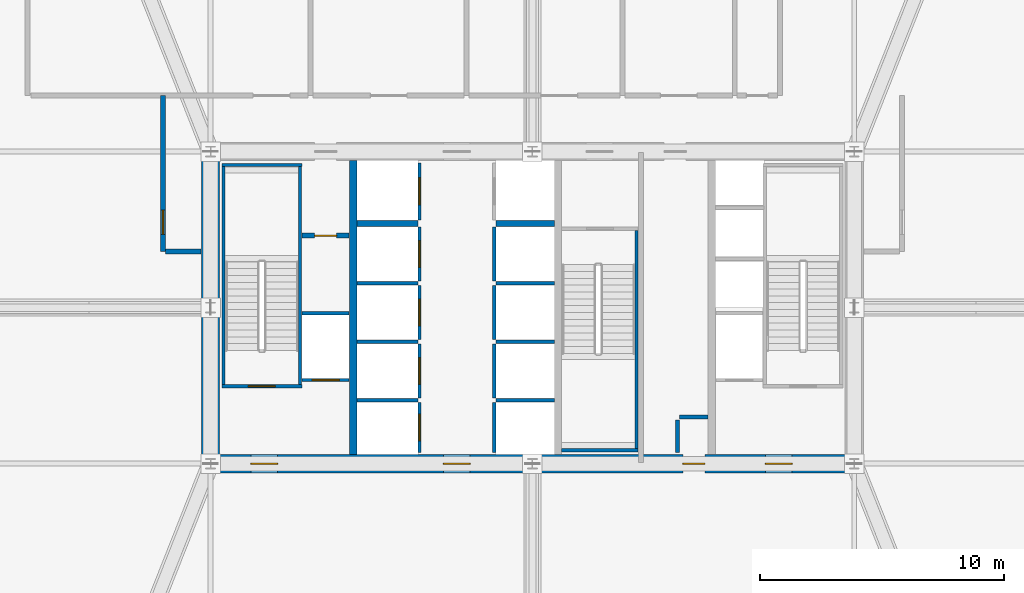
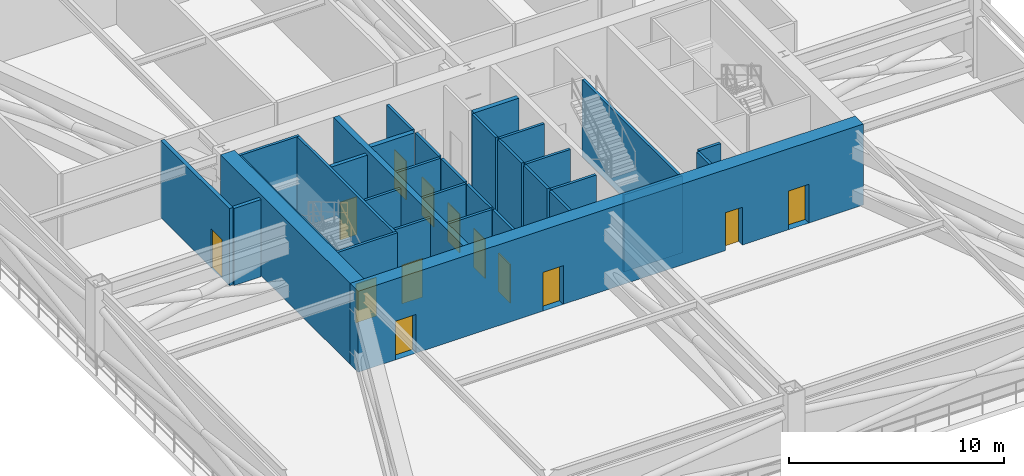
# One storey, part 4 of 10: 33 walls, 13 doors, 13 openings.
"""IFC4 building model written with IfcOpenShell, lengths in metres."""

from ifc_helpers import new_model, si_unit, direction, frame, frame_2d, origin, place, context, subcontext, project, spatial, rectangle, extrude, source, transform, mapped, material, layer, layer_set, type_object, element, fill, save


model = new_model("IFC4")

# Units and contexts
model_context = context("Model", 3, precision=1e-05, world=origin(), true_north=direction((0.0, 1.0)))
body_context = subcontext(model_context, "Body", "Model", "MODEL_VIEW")
ifc_project = project(units=[si_unit("LENGTHUNIT", "METRE"), si_unit("AREAUNIT", "SQUARE_METRE"), si_unit("VOLUMEUNIT", "CUBIC_METRE"), si_unit("PLANEANGLEUNIT", "RADIAN"), si_unit("MASSUNIT", "GRAM", prefix="KILO"), si_unit("THERMODYNAMICTEMPERATUREUNIT", "KELVIN"), si_unit("POWERUNIT", "WATT")], contexts=[model_context])

# Site, building, storey
site_placement = place(None, origin())
site = spatial("IfcSite", under=ifc_project, at=site_placement, CompositionType="ELEMENT")
building_placement = place(site_placement, origin())
building = spatial("IfcBuilding", under=site, at=building_placement, Name="Yuzanri Waterfront Tower", CompositionType="ELEMENT")
storey_placement = place(building_placement, frame((0.0, 0.0, 129.800048828125)))
storey = spatial("IfcBuildingStorey", under=building, at=storey_placement, Name="L34", CompositionType="ELEMENT", Elevation=129.800048828125)

# Wall, openings, doors
ifc_material_1 = material(Name="Concrete C55", Category="concrete")
ifc_layer_1 = layer(ifc_material_1, 0.75)
ifc_layer_set_1 = layer_set([ifc_layer_1], Name="Concrete C55")
wall_type_1 = type_object("IfcWallType", Name="Concrete C55 Low-Mid Zone Core Shear Wall 750", PredefinedType="SHEAR", material=ifc_layer_set_1)
wall_1_placement = place(storey_placement, frame((23.425048828125, 19.39990234375, 0.0), z_axis=(0.0, 0.0, 1.0), x_axis=(1.0, 0.0, 0.0)))
wall_1 = element("IfcWall", 1, at=wall_1_placement, inside=storey, type_object=wall_type_1, Name="L34 Core South Shear Wall", PredefinedType="SHEAR", context=body_context, shape_type="SweptSolid", body=[
    extrude(rectangle(XDim=27.14990234375, YDim=0.75, at=frame_2d((13.574951171875, 0.0))), origin(), (0.0, 0.0, 1.0), 4.599853515625),
])
opening_1_placement = place(wall_1_placement, frame((2.02490234375, 0.0, 0.0)))
opening_1 = element("IfcOpeningElement", 2, at=opening_1_placement, cuts=wall_1, Name="Opening FD-1100", PredefinedType="OPENING", context=body_context, shape_type="SweptSolid", body=[
    extrude(rectangle(XDim=1.10009765625, YDim=2.199951171875, at=frame_2d((0.550048828125, 1.10009765625))), frame((0.0, 0.389892578125, 0.0), z_axis=(0.0, -1.0, 0.0), x_axis=(1.0, 0.0, 0.0)), (0.0, 0.0, 1.0), 0.77978515625),
])
opening_2_placement = place(wall_1_placement, frame((9.925048828125, 0.0, 0.0)))
opening_2 = element("IfcOpeningElement", 3, at=opening_2_placement, cuts=wall_1, Name="Opening FD-1100", PredefinedType="OPENING", context=body_context, shape_type="SweptSolid", body=[
    extrude(rectangle(XDim=1.10009765625, YDim=2.199951171875, at=frame_2d((0.550048828125, 1.10009765625))), frame((0.0, 0.389892578125, 0.0), z_axis=(0.0, -1.0, 0.0), x_axis=(1.0, 0.0, 0.0)), (0.0, 0.0, 1.0), 0.77978515625),
])
opening_3_placement = place(wall_1_placement, frame((23.125, 0.0, 0.0)))
opening_3 = element("IfcOpeningElement", 4, at=opening_3_placement, cuts=wall_1, Name="Opening FD-1100", PredefinedType="OPENING", context=body_context, shape_type="SweptSolid", body=[
    extrude(rectangle(XDim=1.10009765625, YDim=2.199951171875, at=frame_2d((0.550048828125, 1.10009765625))), frame((0.0, 0.389892578125, 0.0), z_axis=(0.0, -1.0, 0.0), x_axis=(1.0, 0.0, 0.0)), (0.0, 0.0, 1.0), 0.77978515625),
])
opening_4_placement = place(wall_1_placement, frame((19.7451171875, 0.0, 0.0)))
opening_4 = element("IfcOpeningElement", 5, at=opening_4_placement, cuts=wall_1, Name="Opening FD-0900", PredefinedType="OPENING", context=body_context, shape_type="SweptSolid", body=[
    extrude(rectangle(XDim=0.89990234375, YDim=2.14990234375, at=frame_2d((0.449951171875, 1.074951171875))), frame((0.0, 0.389892578125, 0.0), z_axis=(0.0, -1.0, 0.0), x_axis=(1.0, 0.0, 0.0)), (0.0, 0.0, 1.0), 0.77978515625),
])
ifc_material_2 = material(Name="Painted Galvanized Fire Steel", Category="steel")
door_type_1 = type_object("IfcDoorType", Name="Smoke-Proof Stair and Lobby Fire Door 1100x2200", OperationType="NOTDEFINED", PredefinedType="DOOR", material=ifc_material_2)
shared_shape_1 = source(origin(), body_context, "Body", "SweptSolid", [
    extrude(rectangle(XDim=1.10009765625, YDim=2.199951171875, at=frame_2d((0.550048828125, 1.10009765625))), frame((0.0, 0.02490234375, 0.0), z_axis=(0.0, -1.0, 0.0), x_axis=(1.0, 0.0, 0.0)), (0.0, 0.0, 1.0), 0.050048828125),
])
door_1_placement = place(opening_1_placement, origin())
door_1 = element("IfcDoor", 6, at=door_1_placement, inside=storey, type_object=door_type_1, Name="L34 West Firefighting Lobby Door", OperationType="SINGLE_SWING_RIGHT", OverallHeight=2.199951171875, OverallWidth=1.10009765625, PredefinedType="DOOR", context=body_context, shape_type="MappedRepresentation", body=[
    mapped(shared_shape_1, transform((0.0, 0.0, 0.0), scale=1.0)),
])
fill(opening_1, door_1)
door_2_placement = place(opening_2_placement, origin())
door_2 = element("IfcDoor", 7, at=door_2_placement, inside=storey, type_object=door_type_1, Name="L34 Central Lift Lobby South Door", OperationType="SINGLE_SWING_LEFT", OverallHeight=2.199951171875, OverallWidth=1.10009765625, PredefinedType="DOOR", context=body_context, shape_type="MappedRepresentation", body=[
    mapped(shared_shape_1, transform((0.0, 0.0, 0.0), scale=1.0)),
])
fill(opening_2, door_2)
door_3_placement = place(opening_3_placement, origin())
door_3 = element("IfcDoor", 8, at=door_3_placement, inside=storey, type_object=door_type_1, Name="L34 East Firefighting Lobby Door", OperationType="SINGLE_SWING_RIGHT", OverallHeight=2.199951171875, OverallWidth=1.10009765625, PredefinedType="DOOR", context=body_context, shape_type="MappedRepresentation", body=[
    mapped(shared_shape_1, transform((0.0, 0.0, 0.0), scale=1.0)),
])
fill(opening_3, door_3)
ifc_material_3 = material(Name="Painted Galvanized Fire Steel", Category="steel")
door_type_2 = type_object("IfcDoorType", Name="Riser and Service Room Fire Door 900x2150", OperationType="NOTDEFINED", PredefinedType="DOOR", material=ifc_material_3)
shared_shape_2 = source(origin(), body_context, "Body", "SweptSolid", [
    extrude(rectangle(XDim=0.89990234375, YDim=2.14990234375, at=frame_2d((0.449951171875, 1.074951171875))), frame((0.0, 0.02490234375, 0.0), z_axis=(0.0, -1.0, 0.0), x_axis=(1.0, 0.0, 0.0)), (0.0, 0.0, 1.0), 0.050048828125),
])
door_4_placement = place(opening_4_placement, origin())
door_4 = element("IfcDoor", 9, at=door_4_placement, inside=storey, type_object=door_type_2, Name="L34 East Wet Riser Door", OperationType="SINGLE_SWING_LEFT", OverallHeight=2.14990234375, OverallWidth=0.89990234375, PredefinedType="DOOR", context=body_context, shape_type="MappedRepresentation", body=[
    mapped(shared_shape_2, transform((0.0, 0.0, 0.0), scale=1.0)),
])
fill(opening_4, door_4)

# Wall, opening, door
ifc_material_4 = material(Name="Concrete C40", Category="concrete")
ifc_layer_2 = layer(ifc_material_4, 0.139892578125)
ifc_layer_set_2 = layer_set([ifc_layer_2], Name="Concrete C40")
wall_type_2 = type_object("IfcWallType", Name="Core Stair Liner and Hoistway Shaft Wall 140", PredefinedType="SOLIDWALL", material=ifc_layer_set_2)
wall_2_placement = place(storey_placement, frame((27.56005859375, 22.830078125, 0.0), z_axis=(0.0, 0.0, 1.0), x_axis=(1.0, 0.0, 0.0)))
wall_2 = element("IfcWall", 10, at=wall_2_placement, inside=storey, type_object=wall_type_2, Name="L34 Lift FL-01 Front Shaft Wall", PredefinedType="SOLIDWALL", context=body_context, shape_type="SweptSolid", body=[
    extrude(rectangle(XDim=1.919921875, YDim=0.139892578125, at=frame_2d((0.9599609375, 0.0))), origin(), (0.0, 0.0, 1.0), 4.3798828125),
])
opening_5_placement = place(wall_2_placement, frame((0.409912109375, 0.0, 0.0)))
opening_5 = element("IfcOpeningElement", 11, at=opening_5_placement, cuts=wall_2, Name="Opening LD-FL-01", PredefinedType="OPENING", context=body_context, shape_type="SweptSolid", body=[
    extrude(rectangle(XDim=1.10009765625, YDim=2.199951171875, at=frame_2d((0.550048828125, 1.10009765625))), frame((0.0, 0.0849609375, 0.0), z_axis=(0.0, -1.0, 0.0), x_axis=(1.0, 0.0, 0.0)), (0.0, 0.0, 1.0), 0.169677734375),
])
ifc_material_5 = material(Name="Brushed Bronze and Stainless Steel Cab", Category="steel")
door_type_3 = type_object("IfcDoorType", Name="Center-Parting Bronze Lift Landing Sliding Door 1100x2200", OperationType="NOTDEFINED", PredefinedType="DOOR", material=ifc_material_5)
shared_shape_3 = source(origin(), body_context, "Body", "SweptSolid", [
    extrude(rectangle(XDim=1.10009765625, YDim=2.199951171875, at=frame_2d((0.550048828125, 1.10009765625))), frame((0.0, 0.02490234375, 0.0), z_axis=(0.0, -1.0, 0.0), x_axis=(1.0, 0.0, 0.0)), (0.0, 0.0, 1.0), 0.050048828125),
])
door_5_placement = place(opening_5_placement, origin())
door_5 = element("IfcDoor", 12, at=door_5_placement, inside=storey, type_object=door_type_3, Name="L34 FL-01 Lift Landing Sliding Door", OperationType="SLIDING_TO_LEFT", OverallHeight=2.199951171875, OverallWidth=1.10009765625, PredefinedType="DOOR", context=body_context, shape_type="MappedRepresentation", body=[
    mapped(shared_shape_3, transform((0.0, 0.0, 0.0), scale=1.0)),
])
fill(opening_5, door_5)

wall_3_placement = place(storey_placement, frame((32.3701171875, 19.860107421875, 0.0), z_axis=(0.0, 0.0, 1.0), x_axis=(0.0, 1.0, 0.0)))
wall_3 = element("IfcWall", 13, at=wall_3_placement, inside=storey, type_object=wall_type_2, Name="L34 Lift PL-01 Front Shaft Wall", PredefinedType="SOLIDWALL", context=body_context, shape_type="SweptSolid", body=[
    extrude(rectangle(XDim=2.039794921875, YDim=0.139892578125, at=frame_2d((1.02001953125, 0.0))), origin(), (0.0, 0.0, 1.0), 4.3798828125),
])
opening_6_placement = place(wall_3_placement, frame((0.469970703125, 0.0, 0.0)))
opening_6 = element("IfcOpeningElement", 14, at=opening_6_placement, cuts=wall_3, Name="Opening LD-PL-01", PredefinedType="OPENING", context=body_context, shape_type="SweptSolid", body=[
    extrude(rectangle(XDim=1.10009765625, YDim=2.199951171875, at=frame_2d((0.550048828125, 1.10009765625))), frame((0.0, 0.0849609375, 0.0), z_axis=(0.0, -1.0, 0.0), x_axis=(1.0, 0.0, 0.0)), (0.0, 0.0, 1.0), 0.169677734375),
])
door_6_placement = place(opening_6_placement, origin())
door_6 = element("IfcDoor", 15, at=door_6_placement, inside=storey, type_object=door_type_3, Name="L34 PL-01 Lift Landing Sliding Door", OperationType="SLIDING_TO_LEFT", OverallHeight=2.199951171875, OverallWidth=1.10009765625, PredefinedType="DOOR", context=body_context, shape_type="MappedRepresentation", body=[
    mapped(shared_shape_3, transform((0.0, 0.0, 0.0), scale=1.0)),
])
fill(opening_6, door_6)

wall_4_placement = place(storey_placement, frame((32.3701171875, 22.10009765625, 0.0), z_axis=(0.0, 0.0, 1.0), x_axis=(0.0, 1.0, 0.0)))
wall_4 = element("IfcWall", 16, at=wall_4_placement, inside=storey, type_object=wall_type_2, Name="L34 Lift PL-02 Front Shaft Wall", PredefinedType="SOLIDWALL", context=body_context, shape_type="SweptSolid", body=[
    extrude(rectangle(XDim=2.199951171875, YDim=0.139892578125, at=frame_2d((1.10009765625, 0.0))), origin(), (0.0, 0.0, 1.0), 4.3798828125),
])
opening_7_placement = place(wall_4_placement, frame((0.550048828125, 0.0, 0.0)))
opening_7 = element("IfcOpeningElement", 17, at=opening_7_placement, cuts=wall_4, Name="Opening LD-PL-02", PredefinedType="OPENING", context=body_context, shape_type="SweptSolid", body=[
    extrude(rectangle(XDim=1.10009765625, YDim=2.199951171875, at=frame_2d((0.550048828125, 1.10009765625))), frame((0.0, 0.0849609375, 0.0), z_axis=(0.0, -1.0, 0.0), x_axis=(1.0, 0.0, 0.0)), (0.0, 0.0, 1.0), 0.169677734375),
])
door_7_placement = place(opening_7_placement, origin())
door_7 = element("IfcDoor", 18, at=door_7_placement, inside=storey, type_object=door_type_3, Name="L34 PL-02 Lift Landing Sliding Door", OperationType="SLIDING_TO_RIGHT", OverallHeight=2.199951171875, OverallWidth=1.10009765625, PredefinedType="DOOR", context=body_context, shape_type="MappedRepresentation", body=[
    mapped(shared_shape_3, transform((0.0, 0.0, 0.0), scale=1.0)),
])
fill(opening_7, door_7)

wall_5_placement = place(storey_placement, frame((32.3701171875, 24.5, 0.0), z_axis=(0.0, 0.0, 1.0), x_axis=(0.0, 1.0, 0.0)))
wall_5 = element("IfcWall", 19, at=wall_5_placement, inside=storey, type_object=wall_type_2, Name="L34 Lift PL-03 Front Shaft Wall", PredefinedType="SOLIDWALL", context=body_context, shape_type="SweptSolid", body=[
    extrude(rectangle(XDim=2.199951171875, YDim=0.139892578125, at=frame_2d((1.10009765625, 0.0))), origin(), (0.0, 0.0, 1.0), 4.3798828125),
])
opening_8_placement = place(wall_5_placement, frame((0.550048828125, 0.0, 0.0)))
opening_8 = element("IfcOpeningElement", 20, at=opening_8_placement, cuts=wall_5, Name="Opening LD-PL-03", PredefinedType="OPENING", context=body_context, shape_type="SweptSolid", body=[
    extrude(rectangle(XDim=1.10009765625, YDim=2.199951171875, at=frame_2d((0.550048828125, 1.10009765625))), frame((0.0, 0.0849609375, 0.0), z_axis=(0.0, -1.0, 0.0), x_axis=(1.0, 0.0, 0.0)), (0.0, 0.0, 1.0), 0.169677734375),
])
door_8_placement = place(opening_8_placement, origin())
door_8 = element("IfcDoor", 21, at=door_8_placement, inside=storey, type_object=door_type_3, Name="L34 PL-03 Lift Landing Sliding Door", OperationType="SLIDING_TO_LEFT", OverallHeight=2.199951171875, OverallWidth=1.10009765625, PredefinedType="DOOR", context=body_context, shape_type="MappedRepresentation", body=[
    mapped(shared_shape_3, transform((0.0, 0.0, 0.0), scale=1.0)),
])
fill(opening_8, door_8)

wall_6_placement = place(storey_placement, frame((32.3701171875, 26.89990234375, 0.0), z_axis=(0.0, 0.0, 1.0), x_axis=(0.0, 1.0, 0.0)))
wall_6 = element("IfcWall", 22, at=wall_6_placement, inside=storey, type_object=wall_type_2, Name="L34 Lift PL-04 Front Shaft Wall", PredefinedType="SOLIDWALL", context=body_context, shape_type="SweptSolid", body=[
    extrude(rectangle(XDim=2.2001953125, YDim=0.139892578125, at=frame_2d((1.10009765625, 0.0))), origin(), (0.0, 0.0, 1.0), 4.3798828125),
])
opening_9_placement = place(wall_6_placement, frame((0.550048828125, 0.0, 0.0)))
opening_9 = element("IfcOpeningElement", 23, at=opening_9_placement, cuts=wall_6, Name="Opening LD-PL-04", PredefinedType="OPENING", context=body_context, shape_type="SweptSolid", body=[
    extrude(rectangle(XDim=1.10009765625, YDim=2.199951171875, at=frame_2d((0.550048828125, 1.10009765625))), frame((0.0, 0.0849609375, 0.0), z_axis=(0.0, -1.0, 0.0), x_axis=(1.0, 0.0, 0.0)), (0.0, 0.0, 1.0), 0.169677734375),
])
door_9_placement = place(opening_9_placement, origin())
door_9 = element("IfcDoor", 24, at=door_9_placement, inside=storey, type_object=door_type_3, Name="L34 PL-04 Lift Landing Sliding Door", OperationType="SLIDING_TO_RIGHT", OverallHeight=2.199951171875, OverallWidth=1.10009765625, PredefinedType="DOOR", context=body_context, shape_type="MappedRepresentation", body=[
    mapped(shared_shape_3, transform((0.0, 0.0, 0.0), scale=1.0)),
])
fill(opening_9, door_9)

wall_7_placement = place(storey_placement, frame((32.3701171875, 29.39990234375, 0.0), z_axis=(0.0, 0.0, 1.0), x_axis=(0.0, 1.0, 0.0)))
wall_7 = element("IfcWall", 25, at=wall_7_placement, inside=storey, type_object=wall_type_2, Name="L34 Lift SL-01 Front Shaft Wall", PredefinedType="SOLIDWALL", context=body_context, shape_type="SweptSolid", body=[
    extrude(rectangle(XDim=2.340087890625, YDim=0.139892578125, at=frame_2d((1.169921875, 0.0))), origin(), (0.0, 0.0, 1.0), 4.3798828125),
])
opening_10_placement = place(wall_7_placement, frame((0.6201171875, 0.0, 0.0)))
opening_10 = element("IfcOpeningElement", 26, at=opening_10_placement, cuts=wall_7, Name="Opening LD-SL-01", PredefinedType="OPENING", context=body_context, shape_type="SweptSolid", body=[
    extrude(rectangle(XDim=1.10009765625, YDim=2.199951171875, at=frame_2d((0.550048828125, 1.10009765625))), frame((0.0, 0.0849609375, 0.0), z_axis=(0.0, -1.0, 0.0), x_axis=(1.0, 0.0, 0.0)), (0.0, 0.0, 1.0), 0.169677734375),
])
door_10_placement = place(opening_10_placement, origin())
door_10 = element("IfcDoor", 27, at=door_10_placement, inside=storey, type_object=door_type_3, Name="L34 SL-01 Lift Landing Sliding Door", OperationType="SLIDING_TO_LEFT", OverallHeight=2.199951171875, OverallWidth=1.10009765625, PredefinedType="DOOR", context=body_context, shape_type="MappedRepresentation", body=[
    mapped(shared_shape_3, transform((0.0, 0.0, 0.0), scale=1.0)),
])
fill(opening_10, door_10)

wall_8_placement = place(storey_placement, frame((24.260009765625, 22.570068359375, 0.0), z_axis=(0.0, 0.0, 1.0), x_axis=(1.0, 0.0, 0.0)))
wall_8 = element("IfcWall", 28, at=wall_8_placement, inside=storey, type_object=wall_type_2, Name="L34 Shaft Wall STW-L34-ST-01-S", PredefinedType="SOLIDWALL", context=body_context, shape_type="SweptSolid", body=[
    extrude(rectangle(XDim=3.280029296875, YDim=0.139892578125, at=frame_2d((1.64013671875, 0.0))), origin(), (0.0, 0.0, 1.0), 4.3798828125),
])
opening_11_placement = place(wall_8_placement, frame((1.090087890625, 0.0, 0.0)))
opening_11 = element("IfcOpeningElement", 29, at=opening_11_placement, cuts=wall_8, Name="Opening FD-1100", PredefinedType="OPENING", context=body_context, shape_type="SweptSolid", body=[
    extrude(rectangle(XDim=1.10009765625, YDim=2.199951171875, at=frame_2d((0.550048828125, 1.10009765625))), frame((0.0, 0.0849609375, 0.0), z_axis=(0.0, -1.0, 0.0), x_axis=(1.0, 0.0, 0.0)), (0.0, 0.0, 1.0), 0.169677734375),
])
door_11_placement = place(opening_11_placement, origin())
door_11 = element("IfcDoor", 30, at=door_11_placement, inside=storey, type_object=door_type_1, Name="L34 Stair ST-01 Fire Door", OperationType="SINGLE_SWING_LEFT", OverallHeight=2.199951171875, OverallWidth=1.10009765625, PredefinedType="DOOR", context=body_context, shape_type="MappedRepresentation", body=[
    mapped(shared_shape_1, transform((0.0, 0.0, 0.0), scale=1.0)),
])
fill(opening_11, door_11)

ifc_material_6 = material(Name="Autoclaved Aerated Concrete Blockwork", Category="masonry")
ifc_layer_3 = layer(ifc_material_6, 0.199951171875)
ifc_layer_set_3 = layer_set([ifc_layer_3], Name="Autoclaved Aerated Concrete Blockwork")
wall_type_3 = type_object("IfcWallType", Name="Corridor and Unit Party Fire Wall 200", PredefinedType="PARTITIONING", material=ifc_layer_set_3)
wall_9_placement = place(storey_placement, frame((27.56005859375, 28.75, 0.0), z_axis=(0.0, 0.0, 1.0), x_axis=(1.0, 0.0, 0.0)))
wall_9 = element("IfcWall", 31, at=wall_9_placement, inside=storey, type_object=wall_type_3, Name="L34 Partition CRW-L34-ERTR", PredefinedType="PARTITIONING", context=body_context, shape_type="SweptSolid", body=[
    extrude(rectangle(XDim=1.919921875, YDim=0.199951171875, at=frame_2d((0.9599609375, 0.0))), origin(), (0.0, 0.0, 1.0), 4.3798828125),
])
opening_12_placement = place(wall_9_placement, frame((0.510009765625, 0.0, 0.0)))
opening_12 = element("IfcOpeningElement", 32, at=opening_12_placement, cuts=wall_9, Name="Opening FD-0900", PredefinedType="OPENING", context=body_context, shape_type="SweptSolid", body=[
    extrude(rectangle(XDim=0.89990234375, YDim=2.14990234375, at=frame_2d((0.449951171875, 1.074951171875))), frame((0.0, 0.11474609375, 0.0), z_axis=(0.0, -1.0, 0.0), x_axis=(1.0, 0.0, 0.0)), (0.0, 0.0, 1.0), 0.229736328125),
])
door_12_placement = place(opening_12_placement, origin())
door_12 = element("IfcDoor", 33, at=door_12_placement, inside=storey, type_object=door_type_2, Name="L34 Electrical Riser Door", OperationType="SINGLE_SWING_RIGHT", OverallHeight=2.14990234375, OverallWidth=0.89990234375, PredefinedType="DOOR", context=body_context, shape_type="MappedRepresentation", body=[
    mapped(shared_shape_2, transform((0.0, 0.0, 0.0), scale=1.0)),
])
fill(opening_12, door_12)

wall_10_placement = place(storey_placement, frame((21.85009765625, 28.10009765625, 0.0), z_axis=(0.0, 0.0, 1.0), x_axis=(0.0, 1.0, 0.0)))
wall_10 = element("IfcWall", 34, at=wall_10_placement, inside=storey, type_object=wall_type_3, Name="L34 Partition RFW-L34-CW", PredefinedType="PARTITIONING", context=body_context, shape_type="SweptSolid", body=[
    extrude(rectangle(XDim=6.39990234375, YDim=0.199951171875, at=frame_2d((3.199951171875, 0.0))), origin(), (0.0, 0.0, 1.0), 4.3798828125),
])
opening_13_placement = place(wall_10_placement, frame((0.699951171875, 0.0, 0.0)))
opening_13 = element("IfcOpeningElement", 35, at=opening_13_placement, cuts=wall_10, Name="Opening TD-1000", PredefinedType="OPENING", context=body_context, shape_type="SweptSolid", body=[
    extrude(rectangle(XDim=1.0, YDim=2.199951171875, at=frame_2d((0.5, 1.10009765625))), frame((0.0, 0.11474609375, 0.0), z_axis=(0.0, -1.0, 0.0), x_axis=(1.0, 0.0, 0.0)), (0.0, 0.0, 1.0), 0.229736328125),
])
ifc_material_7 = material(Name="Anodized Architectural Bronze", Category="metal")
door_type_4 = type_object("IfcDoorType", Name="Anodized Bronze Refuge Deck Weatherproof Exit Door 1000x2200", OperationType="NOTDEFINED", PredefinedType="DOOR", material=ifc_material_7)
shared_shape_4 = source(origin(), body_context, "Body", "SweptSolid", [
    extrude(rectangle(XDim=1.0, YDim=2.199951171875, at=frame_2d((0.5, 1.10009765625))), frame((0.0, 0.02490234375, 0.0), z_axis=(0.0, -1.0, 0.0), x_axis=(1.0, 0.0, 0.0)), (0.0, 0.0, 1.0), 0.050048828125),
])
door_13_placement = place(opening_13_placement, origin())
door_13 = element("IfcDoor", 36, at=door_13_placement, inside=storey, type_object=door_type_4, Name="L34 West Refuge Deck Exit Door", OperationType="SINGLE_SWING_LEFT", OverallHeight=2.199951171875, OverallWidth=1.0, PredefinedType="DOOR", context=body_context, shape_type="MappedRepresentation", body=[
    mapped(shared_shape_4, transform((0.0, 0.0, 0.0), scale=1.0)),
])
fill(opening_13, door_13)

# Walls
shared_shape_5 = source(origin(), body_context, "Body", "SweptSolid", [
    extrude(rectangle(XDim=12.050048828125, YDim=0.75, at=frame_2d((6.02490234375, 0.0))), origin(), (0.0, 0.0, 1.0), 4.599853515625),
])
wall_11_placement = place(storey_placement, frame((23.800048828125, 19.77490234375, 0.0), z_axis=(0.0, 0.0, 1.0), x_axis=(0.0, 1.0, 0.0)))
element("IfcWall", 37, at=wall_11_placement, inside=storey, type_object=wall_type_1, Name="L34 Core West Shear Wall", PredefinedType="SHEAR", context=body_context, shape_type="MappedRepresentation", body=[
    mapped(shared_shape_5, transform((0.0, 0.0, 0.0), scale=1.0)),
])
ifc_material_8 = material(Name="Concrete C50", Category="concrete")
ifc_layer_4 = layer(ifc_material_8, 0.300048828125)
ifc_layer_set_4 = layer_set([ifc_layer_4], Name="Concrete C50")
wall_type_4 = type_object("IfcWallType", Name="Concrete C50 Internal Core Shaft Structural Wall 300", PredefinedType="SOLIDWALL", material=ifc_layer_set_4)
shared_shape_6 = source(origin(), body_context, "Body", "SweptSolid", [
    extrude(rectangle(XDim=12.050048828125, YDim=0.300048828125, at=frame_2d((6.02490234375, 0.0))), origin(), (0.0, 0.0, 1.0), 4.599853515625),
])
wall_12_placement = place(storey_placement, frame((29.64990234375, 19.77490234375, 0.0), z_axis=(0.0, 0.0, 1.0), x_axis=(0.0, 1.0, 0.0)))
element("IfcWall", 38, at=wall_12_placement, inside=storey, type_object=wall_type_4, Name="L34 Core Internal Structural Web Wall 1", PredefinedType="SOLIDWALL", context=body_context, shape_type="MappedRepresentation", body=[
    mapped(shared_shape_6, transform((0.0, 0.0, 0.0), scale=1.0)),
])
shared_shape_7 = source(origin(), body_context, "Body", "SweptSolid", [
    extrude(rectangle(XDim=1.919921875, YDim=0.139892578125, at=frame_2d((0.9599609375, 0.0))), origin(), (0.0, 0.0, 1.0), 4.3798828125),
])
wall_13_placement = place(storey_placement, frame((27.56005859375, 25.570068359375, 0.0), z_axis=(0.0, 0.0, 1.0), x_axis=(1.0, 0.0, 0.0)))
element("IfcWall", 39, at=wall_13_placement, inside=storey, type_object=wall_type_2, Name="L34 Lift FL-01 Back Shaft Wall", PredefinedType="SOLIDWALL", context=body_context, shape_type="MappedRepresentation", body=[
    mapped(shared_shape_7, transform((0.0, 0.0, 0.0), scale=1.0)),
])
shared_shape_8 = source(origin(), body_context, "Body", "SweptSolid", [
    extrude(rectangle(XDim=2.5, YDim=0.139892578125, at=frame_2d((1.25, 0.0))), origin(), (0.0, 0.0, 1.0), 4.3798828125),
])
for number, where, z_axis, x_axis, name in (
    (40, (29.800048828125, 22.0, 0.0), (0.0, 0.0, 1.0), (1.0, 0.0, 0.0), "L34 Lift PL-01 Divider Wall"),
    (41, (29.800048828125, 24.39990234375, 0.0), (0.0, 0.0, 1.0), (1.0, 0.0, 0.0), "L34 Lift PL-02 Divider Wall"),
    (42, (29.800048828125, 26.800048828125, 0.0), (0.0, 0.0, 1.0), (1.0, 0.0, 0.0), "L34 Lift PL-03 Divider Wall"),
):
    element("IfcWall", number, at=place(storey_placement, frame(where, z_axis=z_axis, x_axis=x_axis)), inside=storey, type_object=wall_type_2, Name=name, PredefinedType="SOLIDWALL", context=body_context, shape_type="MappedRepresentation", body=[
        mapped(shared_shape_8, transform((0.0, 0.0, 0.0), scale=1.0)),
    ])
ifc_material_9 = material(Name="Concrete C40", Category="concrete")
ifc_layer_5 = layer(ifc_material_9, 0.25)
ifc_layer_set_5 = layer_set([ifc_layer_5], Name="Concrete C40")
wall_type_5 = type_object("IfcWallType", Name="Smoke-Proof Stair and Lift Shaft Wall 250", PredefinedType="SOLIDWALL", material=ifc_layer_set_5)
shared_shape_9 = source(origin(), body_context, "Body", "SweptSolid", [
    extrude(rectangle(XDim=2.5, YDim=0.25, at=frame_2d((1.25, 0.0))), origin(), (0.0, 0.0, 1.0), 4.3798828125),
])
wall_14_placement = place(storey_placement, frame((29.800048828125, 29.25, 0.0), z_axis=(0.0, 0.0, 1.0), x_axis=(1.0, 0.0, 0.0)))
element("IfcWall", 43, at=wall_14_placement, inside=storey, type_object=wall_type_5, Name="L34 Lift SL-01 South Shaft Wall", PredefinedType="SOLIDWALL", context=body_context, shape_type="MappedRepresentation", body=[
    mapped(shared_shape_9, transform((0.0, 0.0, 0.0), scale=1.0)),
])
shared_shape_10 = source(origin(), body_context, "Body", "SweptSolid", [
    extrude(rectangle(XDim=2.039794921875, YDim=0.139892578125, at=frame_2d((1.02001953125, 0.0))), origin(), (0.0, 0.0, 1.0), 4.3798828125),
])
wall_15_placement = place(storey_placement, frame((35.429931640625, 19.860107421875, 0.0), z_axis=(0.0, 0.0, 1.0), x_axis=(0.0, 1.0, 0.0)))
element("IfcWall", 44, at=wall_15_placement, inside=storey, type_object=wall_type_2, Name="L34 Lift PL-05 Front Shaft Wall", PredefinedType="SOLIDWALL", context=body_context, shape_type="MappedRepresentation", body=[
    mapped(shared_shape_10, transform((0.0, 0.0, 0.0), scale=1.0)),
])
shared_shape_11 = source(origin(), body_context, "Body", "SweptSolid", [
    extrude(rectangle(XDim=2.39990234375, YDim=0.139892578125, at=frame_2d((1.199951171875, 0.0))), origin(), (0.0, 0.0, 1.0), 4.3798828125),
])
for number, where, z_axis, x_axis, name in (
    (45, (35.5, 22.0, 0.0), (0.0, 0.0, 1.0), (1.0, 0.0, 0.0), "L34 Lift PL-05 Divider Wall"),
    (46, (35.5, 24.39990234375, 0.0), (0.0, 0.0, 1.0), (1.0, 0.0, 0.0), "L34 Lift PL-06 Divider Wall"),
    (47, (35.5, 26.800048828125, 0.0), (0.0, 0.0, 1.0), (1.0, 0.0, 0.0), "L34 Lift PL-07 Divider Wall"),
):
    element("IfcWall", number, at=place(storey_placement, frame(where, z_axis=z_axis, x_axis=x_axis)), inside=storey, type_object=wall_type_2, Name=name, PredefinedType="SOLIDWALL", context=body_context, shape_type="MappedRepresentation", body=[
        mapped(shared_shape_11, transform((0.0, 0.0, 0.0), scale=1.0)),
    ])
shared_shape_12 = source(origin(), body_context, "Body", "SweptSolid", [
    extrude(rectangle(XDim=2.199951171875, YDim=0.139892578125, at=frame_2d((1.10009765625, 0.0))), origin(), (0.0, 0.0, 1.0), 4.3798828125),
])
for number, where, z_axis, x_axis, name in (
    (48, (35.429931640625, 22.10009765625, 0.0), (0.0, 0.0, 1.0), (0.0, 1.0, 0.0), "L34 Lift PL-06 Front Shaft Wall"),
    (49, (35.429931640625, 24.5, 0.0), (0.0, 0.0, 1.0), (0.0, 1.0, 0.0), "L34 Lift PL-07 Front Shaft Wall"),
):
    element("IfcWall", number, at=place(storey_placement, frame(where, z_axis=z_axis, x_axis=x_axis)), inside=storey, type_object=wall_type_2, Name=name, PredefinedType="SOLIDWALL", context=body_context, shape_type="MappedRepresentation", body=[
        mapped(shared_shape_12, transform((0.0, 0.0, 0.0), scale=1.0)),
    ])
shared_shape_13 = source(origin(), body_context, "Body", "SweptSolid", [
    extrude(rectangle(XDim=2.2001953125, YDim=0.139892578125, at=frame_2d((1.10009765625, 0.0))), origin(), (0.0, 0.0, 1.0), 4.3798828125),
])
wall_16_placement = place(storey_placement, frame((35.429931640625, 26.89990234375, 0.0), z_axis=(0.0, 0.0, 1.0), x_axis=(0.0, 1.0, 0.0)))
element("IfcWall", 50, at=wall_16_placement, inside=storey, type_object=wall_type_2, Name="L34 Lift PL-08 Front Shaft Wall", PredefinedType="SOLIDWALL", context=body_context, shape_type="MappedRepresentation", body=[
    mapped(shared_shape_13, transform((0.0, 0.0, 0.0), scale=1.0)),
])
shared_shape_14 = source(origin(), body_context, "Body", "SweptSolid", [
    extrude(rectangle(XDim=2.39990234375, YDim=0.25, at=frame_2d((1.199951171875, 0.0))), origin(), (0.0, 0.0, 1.0), 4.3798828125),
])
wall_17_placement = place(storey_placement, frame((35.5, 29.25, 0.0), z_axis=(0.0, 0.0, 1.0), x_axis=(1.0, 0.0, 0.0)))
element("IfcWall", 51, at=wall_17_placement, inside=storey, type_object=wall_type_5, Name="L34 Lift SL-02 South Shaft Wall", PredefinedType="SOLIDWALL", context=body_context, shape_type="MappedRepresentation", body=[
    mapped(shared_shape_14, transform((0.0, 0.0, 0.0), scale=1.0)),
])
shared_shape_15 = source(origin(), body_context, "Body", "SweptSolid", [
    extrude(rectangle(XDim=3.280029296875, YDim=0.139892578125, at=frame_2d((1.64013671875, 0.0))), origin(), (0.0, 0.0, 1.0), 4.3798828125),
])
wall_18_placement = place(storey_placement, frame((24.260009765625, 31.64990234375, 0.0), z_axis=(0.0, 0.0, 1.0), x_axis=(1.0, 0.0, 0.0)))
element("IfcWall", 52, at=wall_18_placement, inside=storey, type_object=wall_type_2, Name="L34 Stair ST-01 North Shaft Wall", PredefinedType="SOLIDWALL", context=body_context, shape_type="MappedRepresentation", body=[
    mapped(shared_shape_15, transform((0.0, 0.0, 0.0), scale=1.0)),
])
shared_shape_16 = source(origin(), body_context, "Body", "SweptSolid", [
    extrude(rectangle(XDim=8.940185546875, YDim=0.139892578125, at=frame_2d((4.47021484375, 0.0))), origin(), (0.0, 0.0, 1.0), 4.3798828125),
])
for number, where, z_axis, x_axis, name in (
    (53, (24.330078125, 22.639892578125, 0.0), (0.0, 0.0, 1.0), (0.0, 1.0, 0.0), "L34 Stair ST-01 West Shaft Wall"),
    (54, (27.469970703125, 22.639892578125, 0.0), (0.0, 0.0, 1.0), (0.0, 1.0, 0.0), "L34 Stair ST-01 East Shaft Wall"),
):
    element("IfcWall", number, at=place(storey_placement, frame(where, z_axis=z_axis, x_axis=x_axis)), inside=storey, type_object=wall_type_2, Name=name, PredefinedType="SOLIDWALL", context=body_context, shape_type="MappedRepresentation", body=[
        mapped(shared_shape_16, transform((0.0, 0.0, 0.0), scale=1.0)),
    ])
shared_shape_17 = source(origin(), body_context, "Body", "SweptSolid", [
    extrude(rectangle(XDim=3.14013671875, YDim=0.139892578125, at=frame_2d((1.570068359375, 0.0))), origin(), (0.0, 0.0, 1.0), 4.3798828125),
])
wall_19_placement = place(storey_placement, frame((38.199951171875, 19.949951171875, 0.0), z_axis=(0.0, 0.0, 1.0), x_axis=(1.0, 0.0, 0.0)))
element("IfcWall", 55, at=wall_19_placement, inside=storey, type_object=wall_type_2, Name="L34 Stair ST-03 South Shaft Wall", PredefinedType="SOLIDWALL", context=body_context, shape_type="MappedRepresentation", body=[
    mapped(shared_shape_17, transform((0.0, 0.0, 0.0), scale=1.0)),
])
shared_shape_18 = source(origin(), body_context, "Body", "SweptSolid", [
    extrude(rectangle(XDim=8.93994140625, YDim=0.139892578125, at=frame_2d((4.469970703125, 0.0))), origin(), (0.0, 0.0, 1.0), 4.3798828125),
])
wall_20_placement = place(storey_placement, frame((41.27001953125, 20.02001953125, 0.0), z_axis=(0.0, 0.0, 1.0), x_axis=(0.0, 1.0, 0.0)))
element("IfcWall", 56, at=wall_20_placement, inside=storey, type_object=wall_type_2, Name="L34 Stair ST-03 East Shaft Wall", PredefinedType="SOLIDWALL", context=body_context, shape_type="MappedRepresentation", body=[
    mapped(shared_shape_18, transform((0.0, 0.0, 0.0), scale=1.0)),
])
ifc_material_10 = material(Name="Gypsum Fireboard Acoustic Stud Wall", Category="gypsum")
ifc_layer_6 = layer(ifc_material_10, 0.159912109375)
ifc_layer_set_6 = layer_set([ifc_layer_6], Name="Gypsum Fireboard Acoustic Stud Wall")
wall_type_6 = type_object("IfcWallType", Name="Acoustic Suite Demising Partition 160", PredefinedType="PARTITIONING", material=ifc_layer_set_6)
shared_shape_19 = source(origin(), body_context, "Body", "SweptSolid", [
    extrude(rectangle(XDim=1.33984375, YDim=0.159912109375, at=frame_2d((0.669921875, 0.0))), origin(), (0.0, 0.0, 1.0), 4.3798828125),
])
wall_21_placement = place(storey_placement, frame((42.949951171875, 19.860107421875, 0.0), z_axis=(0.0, 0.0, 1.0), x_axis=(0.0, 1.0, 0.0)))
element("IfcWall", 57, at=wall_21_placement, inside=storey, type_object=wall_type_6, Name="L34 East Wet Riser West Wall", PredefinedType="PARTITIONING", context=body_context, shape_type="MappedRepresentation", body=[
    mapped(shared_shape_19, transform((0.0, 0.0, 0.0), scale=1.0)),
])
shared_shape_20 = source(origin(), body_context, "Body", "SweptSolid", [
    extrude(rectangle(XDim=1.169921875, YDim=0.159912109375, at=frame_2d((0.5849609375, 0.0))), origin(), (0.0, 0.0, 1.0), 4.3798828125),
])
wall_22_placement = place(storey_placement, frame((43.030029296875, 21.320068359375, 0.0), z_axis=(0.0, 0.0, 1.0), x_axis=(1.0, 0.0, 0.0)))
element("IfcWall", 58, at=wall_22_placement, inside=storey, type_object=wall_type_6, Name="L34 East Wet Riser North Wall", PredefinedType="PARTITIONING", context=body_context, shape_type="MappedRepresentation", body=[
    mapped(shared_shape_20, transform((0.0, 0.0, 0.0), scale=1.0)),
])
shared_shape_21 = source(origin(), body_context, "Body", "SweptSolid", [
    extrude(rectangle(XDim=1.455078125, YDim=0.199951171875, at=frame_2d((0.7275390625, 0.0))), origin(), (0.0, 0.0, 1.0), 4.3798828125),
])
wall_23_placement = place(storey_placement, frame((21.949951171875, 28.10009765625, 0.0), z_axis=(0.0, 0.0, 1.0), x_axis=(1.0, 0.0, 0.0)))
element("IfcWall", 59, at=wall_23_placement, inside=storey, type_object=wall_type_3, Name="L34 West Refuge Vestibule South Wall", PredefinedType="PARTITIONING", context=body_context, shape_type="MappedRepresentation", body=[
    mapped(shared_shape_21, transform((0.0, 0.0, 0.0), scale=1.0)),
])

save(model, "model.ifc")
